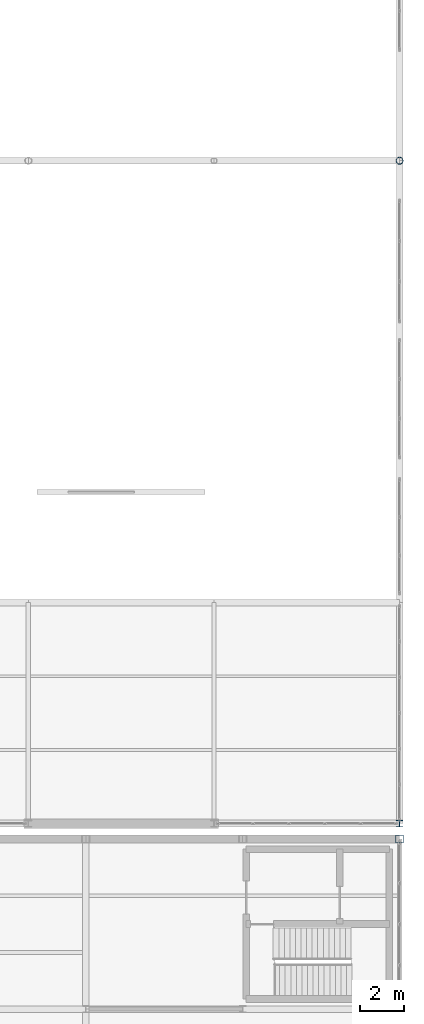
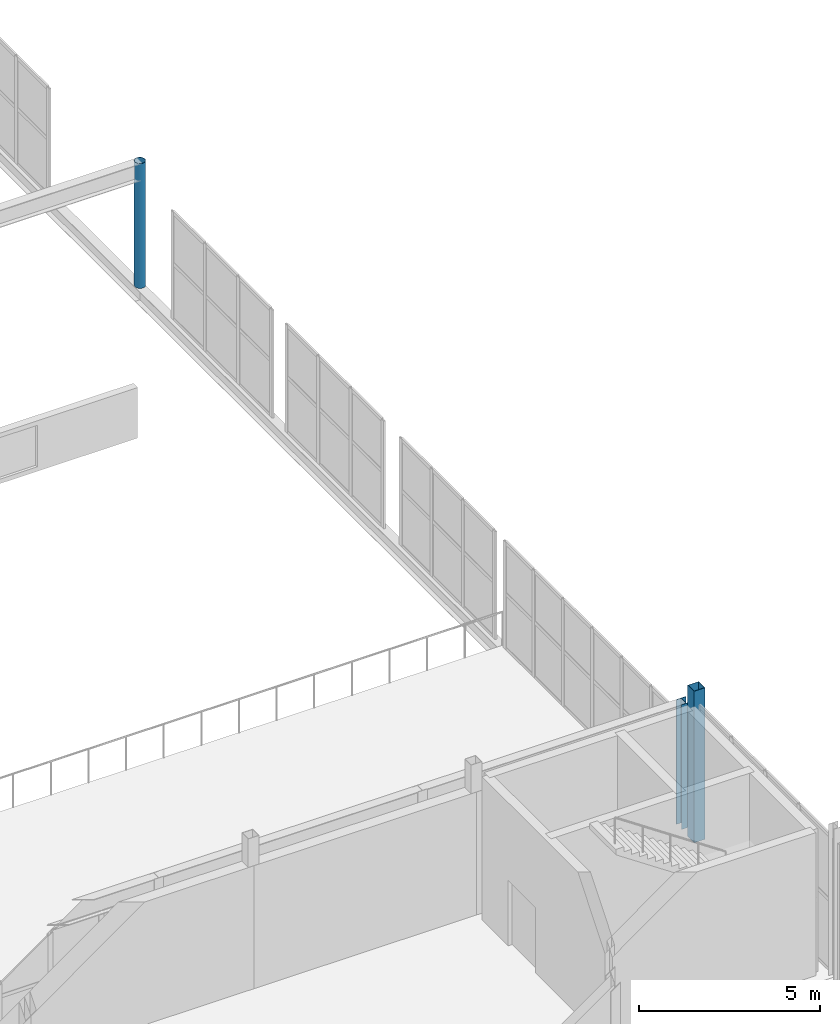
# One storey, part 29 of 218: 3 columns.
"""IFC4 building model written with IfcOpenShell, lengths in metres."""

from ifc_helpers import new_model, si_unit, direction, frame, origin, origin_2d, place, context, subcontext, project, spatial, hollow_rectangle, hollow_circle, i_section, extrude, material, material_profile, profile_set, type_object, element, save


model = new_model("IFC4")

# Units and contexts
model_context = context("Model", 3, precision=1e-05, world=origin(), true_north=direction((0.0, 1.0)))
body_context = subcontext(model_context, "Body", "Model", "MODEL_VIEW")
ifc_project = project(units=[si_unit("LENGTHUNIT", "METRE"), si_unit("AREAUNIT", "SQUARE_METRE"), si_unit("VOLUMEUNIT", "CUBIC_METRE"), si_unit("PLANEANGLEUNIT", "RADIAN"), si_unit("MASSUNIT", "GRAM", prefix="KILO")], contexts=[model_context])

# Site, building, storey
site_placement = place(None, origin())
site = spatial("IfcSite", under=ifc_project, at=site_placement, CompositionType="ELEMENT")
building_placement = place(site_placement, origin())
building = spatial("IfcBuilding", under=site, at=building_placement, Name="Kazenagashi Tramway Depot", CompositionType="ELEMENT")
storey_placement = place(building_placement, frame((0.0, 0.0, 6.0)))
storey = spatial("IfcBuildingStorey", under=building, at=storey_placement, Name="L02", CompositionType="ELEMENT", Elevation=6.0)

# Columns
ifc_material_1 = material(Name="Steel SN490B", Category="steel")
ifc_material_profile_1 = material_profile(ifc_material_1, i_section(OverallWidth=0.3, OverallDepth=0.3, WebThickness=0.01, FlangeThickness=0.015, at=origin_2d()), Name="H-300x300x10x15")
ifc_profile_set_1 = profile_set([ifc_material_profile_1], Name="Steel SN490B")
column_type_1 = type_object("IfcColumnType", Name="C-05", PredefinedType="COLUMN", material=ifc_profile_set_1)
column_1_placement = place(storey_placement, frame((196.0, 70.0, 0.0), z_axis=(0.0, 0.0, 1.0), x_axis=(1.0, 0.0, 0.0)))
element("IfcColumn", 1, at=column_1_placement, inside=storey, type_object=column_type_1, Name="Column C-05 COL-0110", PredefinedType="COLUMN", context=body_context, shape_type="SweptSolid", body=[
    extrude(i_section(OverallWidth=0.3, OverallDepth=0.3, WebThickness=0.01, FlangeThickness=0.015, at=origin_2d()), origin(), (0.0, 0.0, 1.0), 4.2),
])
ifc_material_2 = material(Name="Steel STKR490", Category="steel")
ifc_material_profile_2 = material_profile(ifc_material_2, hollow_rectangle(XDim=0.35, YDim=0.35, WallThickness=0.012, at=origin_2d()), Name="SHS-350x350x12")
ifc_profile_set_2 = profile_set([ifc_material_profile_2], Name="Steel STKR490")
column_type_2 = type_object("IfcColumnType", Name="C-09", PredefinedType="COLUMN", material=ifc_profile_set_2)
column_2_placement = place(storey_placement, frame((196.0, 69.3, 0.0), z_axis=(0.0, 0.0, 1.0), x_axis=(1.0, 0.0, 0.0)))
element("IfcColumn", 2, at=column_2_placement, inside=storey, type_object=column_type_2, Name="Column C-09 COL-0527", PredefinedType="COLUMN", context=body_context, shape_type="SweptSolid", body=[
    extrude(hollow_rectangle(XDim=0.35, YDim=0.35, WallThickness=0.012, at=origin_2d()), origin(), (0.0, 0.0, 1.0), 5.1),
])
ifc_material_3 = material(Name="Steel STK490", Category="steel")
ifc_material_profile_3 = material_profile(ifc_material_3, hollow_circle(Radius=0.15925, WallThickness=0.0103, at=origin_2d()), Name="CHS-318.5x10.3")
ifc_profile_set_3 = profile_set([ifc_material_profile_3], Name="Steel STK490")
column_type_3 = type_object("IfcColumnType", Name="C-18", PredefinedType="COLUMN", material=ifc_profile_set_3)
column_3_placement = place(storey_placement, frame((196.0, 100.0, 0.0), z_axis=(0.0, 0.0, 1.0), x_axis=(1.0, 0.0, 0.0)))
element("IfcColumn", 3, at=column_3_placement, inside=storey, type_object=column_type_3, Name="Column C-18 COL-0112", PredefinedType="COLUMN", context=body_context, shape_type="SweptSolid", body=[
    extrude(hollow_circle(Radius=0.15925, WallThickness=0.0103, at=origin_2d()), origin(), (0.0, 0.0, 1.0), 4.2),
])

save(model, "model.ifc")
